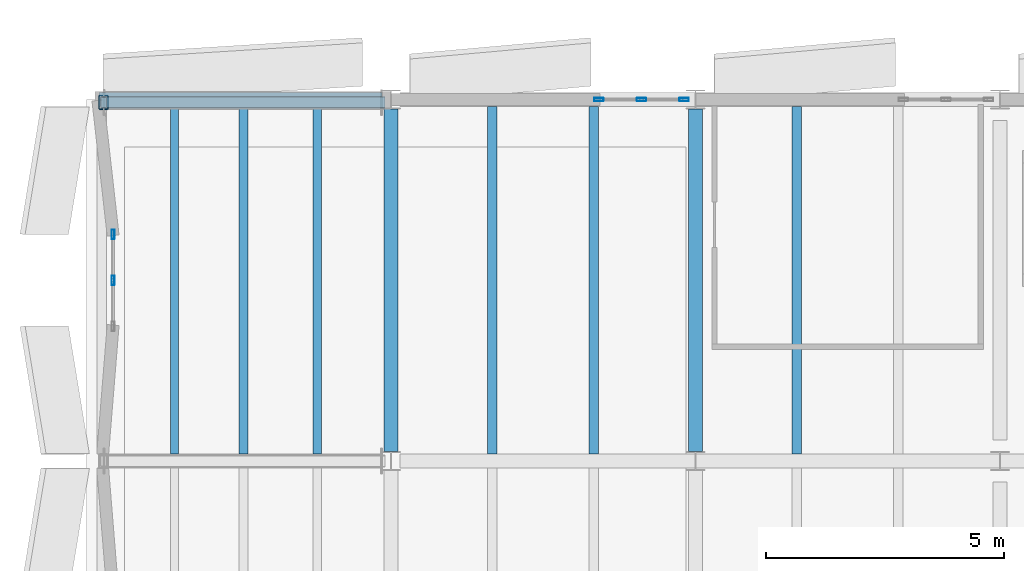
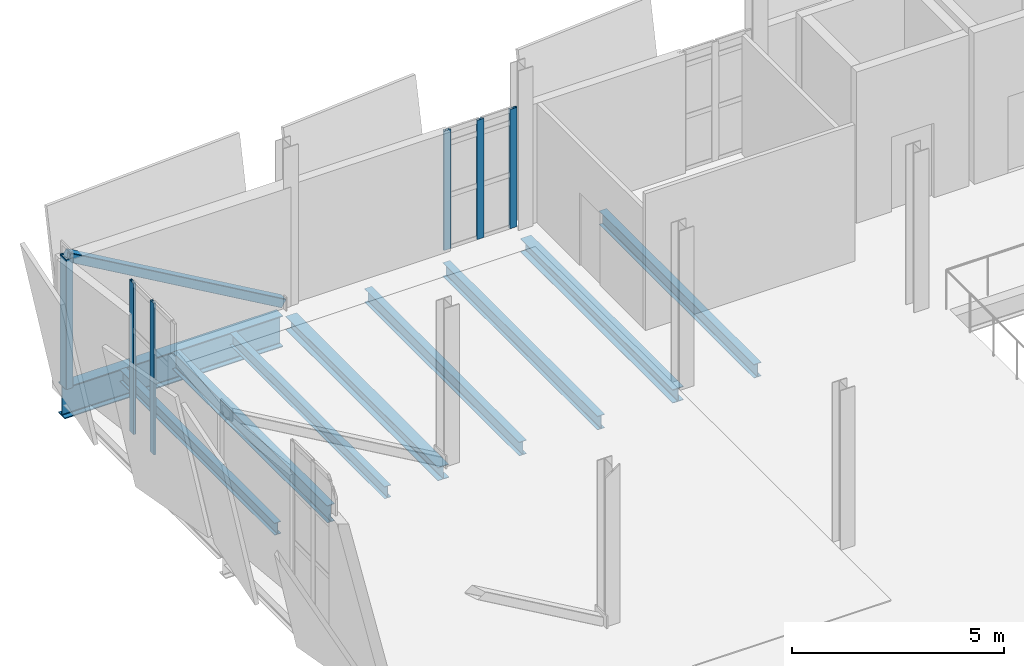
# One storey, part 64 of 172: 9 beams, 7 members, 2 elements without a shape of their own.
"""IFC4 building model written with IfcOpenShell, lengths in metres."""

from ifc_helpers import new_model, si_unit, direction, frame, origin, origin_2d, place, context, subcontext, project, spatial, hollow_rectangle, i_section, extrude, material, material_profile, profile_set, type_object, element, aggregate, save


model = new_model("IFC4")

# Units and contexts
model_context = context("Model", 3, precision=1e-05, world=origin(), true_north=direction((0.0, 1.0)))
body_context = subcontext(model_context, "Body", "Model", "MODEL_VIEW")
ifc_project = project(units=[si_unit("LENGTHUNIT", "METRE"), si_unit("AREAUNIT", "SQUARE_METRE"), si_unit("VOLUMEUNIT", "CUBIC_METRE"), si_unit("PLANEANGLEUNIT", "RADIAN"), si_unit("MASSUNIT", "GRAM", prefix="KILO")], contexts=[model_context])

# Site, building, storey
site_placement = place(None, origin())
site = spatial("IfcSite", under=ifc_project, at=site_placement, CompositionType="ELEMENT")
building_placement = place(site_placement, origin())
building = spatial("IfcBuilding", under=site, at=building_placement, Name="Shengluoqiao Park Theatre", CompositionType="ELEMENT")
storey_placement = place(building_placement, frame((0.0, 0.0, 5.39990234375)))
storey = spatial("IfcBuildingStorey", under=building, at=storey_placement, Name="L01", CompositionType="ELEMENT", Elevation=5.39990234375)

# Curtain wall, members
ifc_material_1 = material(Name="Aluminium 6063-T6", Category="aluminium")
curtain_wall_type = type_object("IfcCurtainWallType", Name="ENV-CW-FOYER", PredefinedType="NOTDEFINED", material=ifc_material_1)
curtain_wall_1_placement = place(storey_placement, origin())
curtain_wall_1 = element("IfcCurtainWall", 1, at=curtain_wall_1_placement, inside=storey, type_object=curtain_wall_type, Name="L01 Curtain Wall CW-L01-0046", PredefinedType="NOTDEFINED")
ifc_material_profile_1 = material_profile(ifc_material_1, hollow_rectangle(XDim=0.06494140625, YDim=0.199951171875, WallThickness=0.0048828125, InnerFilletRadius=0.0048828125, OuterFilletRadius=0.010009765625, at=origin_2d()), Name="ALU MULLION 200x65x5")
ifc_profile_set_1 = profile_set([ifc_material_profile_1], Name="Aluminium 6063-T6")
member_type_1 = type_object("IfcMemberType", Name="ENV-MUL-200", PredefinedType="MULLION", material=ifc_profile_set_1)
member_1_placement = place(storey_placement, frame((10.7685546875, 76.0, 0.0), z_axis=(0.0, 0.0, 1.0), x_axis=(0.0, 1.0, 0.0)))
member_1 = element("IfcMember", 2, at=member_1_placement, type_object=member_type_1, Name="CW-01 mullion 1", PredefinedType="MULLION", context=body_context, shape_type="SweptSolid", body=[
    extrude(hollow_rectangle(XDim=0.06494140625, YDim=0.199951171875, WallThickness=0.0048828125, InnerFilletRadius=0.0048828125, OuterFilletRadius=0.010009765625, at=origin_2d()), origin(), (0.0, 0.0, 1.0), 3.43798828125),
])
member_2_placement = place(storey_placement, frame((11.666015625, 76.0, 0.0), z_axis=(0.0, 0.0, 1.0), x_axis=(0.0, 1.0, 0.0)))
member_2 = element("IfcMember", 3, at=member_2_placement, type_object=member_type_1, Name="CW-01 mullion 2", PredefinedType="MULLION", context=body_context, shape_type="SweptSolid", body=[
    extrude(hollow_rectangle(XDim=0.06494140625, YDim=0.199951171875, WallThickness=0.0048828125, InnerFilletRadius=0.0048828125, OuterFilletRadius=0.010009765625, at=origin_2d()), origin(), (0.0, 0.0, 1.0), 3.43798828125),
])
member_3_placement = place(storey_placement, frame((12.5634765625, 76.0, 0.0), z_axis=(0.0, 0.0, 1.0), x_axis=(0.0, 1.0, 0.0)))
member_3 = element("IfcMember", 4, at=member_3_placement, type_object=member_type_1, Name="CW-01 mullion 3", PredefinedType="MULLION", context=body_context, shape_type="SweptSolid", body=[
    extrude(hollow_rectangle(XDim=0.06494140625, YDim=0.199951171875, WallThickness=0.0048828125, InnerFilletRadius=0.0048828125, OuterFilletRadius=0.010009765625, at=origin_2d()), origin(), (0.0, 0.0, 1.0), 3.43798828125),
])
aggregate(curtain_wall_1, [member_1, member_2, member_3])

curtain_wall_2_placement = place(storey_placement, origin())
curtain_wall_2 = element("IfcCurtainWall", 5, at=curtain_wall_2_placement, inside=storey, type_object=curtain_wall_type, Name="L01 Curtain Wall CW-L01-SLIT-0237", PredefinedType="NOTDEFINED")
member_4_placement = place(storey_placement, frame((0.56005859375, 72.199951171875, 0.0), z_axis=(0.0, 0.0, 1.0), x_axis=(-1.0, 0.0, 0.0)))
member_4 = element("IfcMember", 6, at=member_4_placement, type_object=member_type_1, Name="CW-01 mullion 2", PredefinedType="MULLION", context=body_context, shape_type="SweptSolid", body=[
    extrude(hollow_rectangle(XDim=0.06494140625, YDim=0.199951171875, WallThickness=0.0048828125, InnerFilletRadius=0.0048828125, OuterFilletRadius=0.010009765625, at=origin_2d()), origin(), (0.0, 0.0, 1.0), 4.360107421875),
])
member_5_placement = place(storey_placement, frame((0.56005859375, 73.16748046875, 0.0), z_axis=(0.0, 0.0, 1.0), x_axis=(-1.0, 0.0, 0.0)))
member_5 = element("IfcMember", 7, at=member_5_placement, type_object=member_type_1, Name="CW-01 mullion 3", PredefinedType="MULLION", context=body_context, shape_type="SweptSolid", body=[
    extrude(hollow_rectangle(XDim=0.06494140625, YDim=0.199951171875, WallThickness=0.0048828125, InnerFilletRadius=0.0048828125, OuterFilletRadius=0.010009765625, at=origin_2d()), origin(), (0.0, 0.0, 1.0), 4.360107421875),
])
aggregate(curtain_wall_2, [member_4, member_5])

# Beams
ifc_material_2 = material(Name="Steel Q355", Category="steel")
ifc_material_profile_2 = material_profile(ifc_material_2, i_section(OverallWidth=0.300048828125, OverallDepth=0.389892578125, WebThickness=0.010009765625, FlangeThickness=0.01611328125, FilletRadius=0.01806640625, at=origin_2d()), Name="HM 390x300x10x16")
ifc_profile_set_2 = profile_set([ifc_material_profile_2], Name="Steel Q355")
beam_type_1 = type_object("IfcBeamType", Name="STR-BM-G-HM390", PredefinedType="BEAM", material=ifc_profile_set_2)
for number, where, z_axis, x_axis, name in (
    (8, (6.39990234375, 68.60107421875, -0.434814453125), (0.0, 1.0, 0.0), (-1.0, 0.0, 0.0), "L01 Transverse Girder 00459"),
    (9, (12.800048828125, 68.60107421875, -0.434814453125), (0.0, 1.0, 0.0), (-1.0, 0.0, 0.0), "L01 Transverse Girder 00462"),
):
    element("IfcBeam", number, at=place(storey_placement, frame(where, z_axis=z_axis, x_axis=x_axis)), inside=storey, type_object=beam_type_1, Name=name, PredefinedType="BEAM", context=body_context, shape_type="SweptSolid", body=[
        extrude(i_section(OverallWidth=0.300048828125, OverallDepth=0.389892578125, WebThickness=0.010009765625, FlangeThickness=0.01611328125, FilletRadius=0.01806640625, at=origin_2d()), origin(), (0.0, 0.0, 1.0), 7.197998046875),
    ])
ifc_material_3 = material(Name="Steel Q390", Category="steel")
ifc_material_profile_3 = material_profile(ifc_material_3, i_section(OverallWidth=0.300048828125, OverallDepth=0.89990234375, WebThickness=0.01611328125, FlangeThickness=0.028076171875, FilletRadius=0.028076171875, at=origin_2d()), Name="HN 900x300x16x28")
ifc_profile_set_3 = profile_set([ifc_material_profile_3], Name="Steel Q390")
beam_type_2 = type_object("IfcBeamType", Name="STR-BM-G-HN900", PredefinedType="BEAM", material=ifc_profile_set_3)
beam_1_placement = place(storey_placement, frame((0.260009765625, 76.0, -0.68994140625), z_axis=(1.0, 0.0, 0.0), x_axis=(0.0, 1.0, 0.0)))
element("IfcBeam", 10, at=beam_1_placement, inside=storey, type_object=beam_type_2, Name="CT-V5-3 L01 Cantilever Overhang Chord", PredefinedType="BEAM", context=body_context, shape_type="SweptSolid", body=[
    extrude(i_section(OverallWidth=0.300048828125, OverallDepth=0.89990234375, WebThickness=0.01611328125, FlangeThickness=0.028076171875, FilletRadius=0.028076171875, at=origin_2d()), origin(), (0.0, 0.0, 1.0), 5.949462890625),
])
ifc_material_profile_4 = material_profile(ifc_material_2, i_section(OverallWidth=0.175048828125, OverallDepth=0.35009765625, WebThickness=0.007080078125, FlangeThickness=0.010986328125, FilletRadius=0.013916015625, at=origin_2d()), Name="HN 350x175x7x11")
ifc_profile_set_4 = profile_set([ifc_material_profile_4], Name="Steel Q355")
beam_type_3 = type_object("IfcBeamType", Name="STR-BM-J-HN350", PredefinedType="JOIST", material=ifc_profile_set_4)
for number, where, z_axis, x_axis, name in (
    (11, (1.85009765625, 68.5439453125, -0.414794921875), (0.0, 1.0, 0.0), (-1.0, 0.0, 0.0), "V5 L01 Cantilever Joist 00045"),
    (12, (4.85009765625, 68.5439453125, -0.414794921875), (0.0, 1.0, 0.0), (-1.0, 0.0, 0.0), "V5 L01 Cantilever Joist 00048"),
):
    element("IfcBeam", number, at=place(storey_placement, frame(where, z_axis=z_axis, x_axis=x_axis)), inside=storey, type_object=beam_type_3, Name=name, PredefinedType="JOIST", context=body_context, shape_type="SweptSolid", body=[
        extrude(i_section(OverallWidth=0.175048828125, OverallDepth=0.35009765625, WebThickness=0.007080078125, FlangeThickness=0.010986328125, FilletRadius=0.013916015625, at=origin_2d()), origin(), (0.0, 0.0, 1.0), 7.31201171875),
    ])
ifc_material_profile_5 = material_profile(ifc_material_2, i_section(OverallWidth=0.199951171875, OverallDepth=0.39990234375, WebThickness=0.008056640625, FlangeThickness=0.012939453125, FilletRadius=0.01611328125, at=origin_2d()), Name="HN 400x200x8x13")
ifc_profile_set_5 = profile_set([ifc_material_profile_5], Name="Steel Q355")
beam_type_4 = type_object("IfcBeamType", Name="STR-BM-J-HN400", PredefinedType="JOIST", material=ifc_profile_set_5)
for number, where, z_axis, x_axis, name in (
    (13, (8.533203125, 68.544921875, -0.43994140625), (0.0, 1.0, 0.0), (-1.0, 0.0, 0.0), "L01 Composite Joist 00472"),
    (14, (10.666748046875, 68.544921875, -0.43994140625), (0.0, 1.0, 0.0), (-1.0, 0.0, 0.0), "L01 Composite Joist 00473"),
    (15, (14.933349609375, 68.544921875, -0.43994140625), (0.0, 1.0, 0.0), (-1.0, 0.0, 0.0), "L01 Composite Joist 00478"),
):
    element("IfcBeam", number, at=place(storey_placement, frame(where, z_axis=z_axis, x_axis=x_axis)), inside=storey, type_object=beam_type_4, Name=name, PredefinedType="JOIST", context=body_context, shape_type="SweptSolid", body=[
        extrude(i_section(OverallWidth=0.199951171875, OverallDepth=0.39990234375, WebThickness=0.008056640625, FlangeThickness=0.012939453125, FilletRadius=0.01611328125, at=origin_2d()), origin(), (0.0, 0.0, 1.0), 7.31005859375),
    ])
ifc_material_profile_6 = material_profile(ifc_material_2, i_section(OverallWidth=0.198974609375, OverallDepth=0.49609375, WebThickness=0.009033203125, FlangeThickness=0.013916015625, FilletRadius=0.01806640625, at=origin_2d()), Name="HN 496x199x9x14")
ifc_profile_set_6 = profile_set([ifc_material_profile_6], Name="Steel Q355")
beam_type_5 = type_object("IfcBeamType", Name="STR-BM-SP-HN496", PredefinedType="SPANDREL", material=ifc_profile_set_6)
beam_2_placement = place(storey_placement, frame((3.300048828125, 68.5439453125, -0.48779296875), z_axis=(0.0, 1.0, 0.0), x_axis=(-1.0, 0.0, 0.0)))
element("IfcBeam", 16, at=beam_2_placement, inside=storey, type_object=beam_type_5, Name="V5 L01 Cantilever Spandrel 00043", PredefinedType="SPANDREL", context=body_context, shape_type="SweptSolid", body=[
    extrude(i_section(OverallWidth=0.198974609375, OverallDepth=0.49609375, WebThickness=0.009033203125, FlangeThickness=0.013916015625, FilletRadius=0.01806640625, at=origin_2d()), origin(), (0.0, 0.0, 1.0), 7.31201171875),
])

# Members
ifc_material_profile_7 = material_profile(ifc_material_2, hollow_rectangle(XDim=0.25, YDim=0.25, WallThickness=0.011962890625, InnerFilletRadius=0.011962890625, OuterFilletRadius=0.02392578125, at=origin_2d()), Name="RHS 250x250x12")
ifc_profile_set_7 = profile_set([ifc_material_profile_7], Name="Steel Q355")
member_type_2 = type_object("IfcMemberType", Name="STR-MEM-BRR-250", PredefinedType="BRACE", material=ifc_profile_set_7)
member_6_placement = place(storey_placement, frame((6.215087890625, 75.93994140625, 0.1201171875), z_axis=(-0.866056898016, 0.0, 0.499945446423), x_axis=(0.0, -1.0, 0.0)))
element("IfcMember", 17, at=member_6_placement, inside=storey, type_object=member_type_2, Name="CT-V5-3 L01 Cantilever Raking Strut", PredefinedType="BRACE", context=body_context, shape_type="SweptSolid", body=[
    extrude(hollow_rectangle(XDim=0.25, YDim=0.25, WallThickness=0.011962890625, InnerFilletRadius=0.011962890625, OuterFilletRadius=0.02392578125, at=origin_2d()), origin(), (0.0, 0.0, 1.0), 6.760498046875),
])
ifc_material_profile_8 = material_profile(ifc_material_3, hollow_rectangle(XDim=0.199951171875, YDim=0.300048828125, WallThickness=0.011962890625, InnerFilletRadius=0.011962890625, OuterFilletRadius=0.02392578125, at=origin_2d()), Name="RHS 300x200x12")
ifc_profile_set_8 = profile_set([ifc_material_profile_8], Name="Steel Q390")
member_type_3 = type_object("IfcMemberType", Name="STR-MEM-PTR-302", PredefinedType="POST", material=ifc_profile_set_8)
member_7_placement = place(storey_placement, frame((0.360107421875, 75.93994140625, -0.260009765625), z_axis=(0.0, 0.0, 1.0), x_axis=(1.0, 0.0, 0.0)))
element("IfcMember", 18, at=member_7_placement, inside=storey, type_object=member_type_3, Name="CT-V5-3 L01 Cantilever Tip Post", PredefinedType="POST", context=body_context, shape_type="SweptSolid", body=[
    extrude(hollow_rectangle(XDim=0.199951171875, YDim=0.300048828125, WallThickness=0.011962890625, InnerFilletRadius=0.011962890625, OuterFilletRadius=0.02392578125, at=origin_2d()), origin(), (0.0, 0.0, 1.0), 3.739990234375),
])

save(model, "model.ifc")
